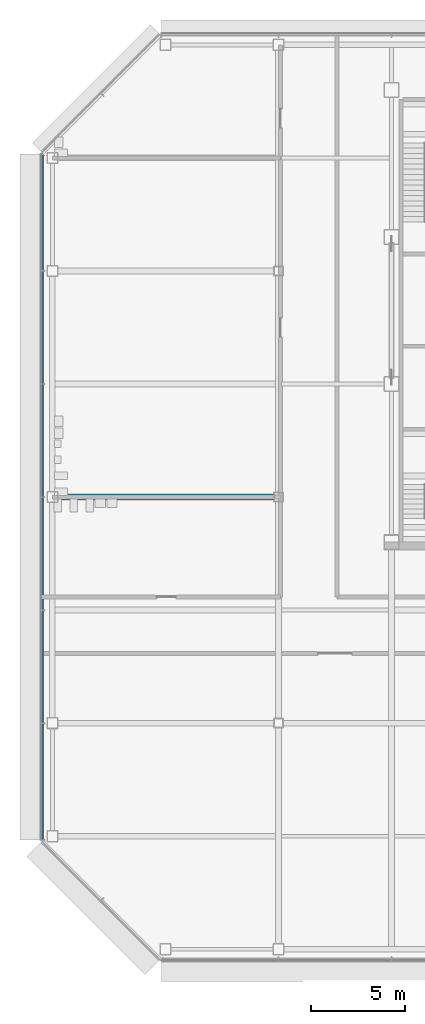
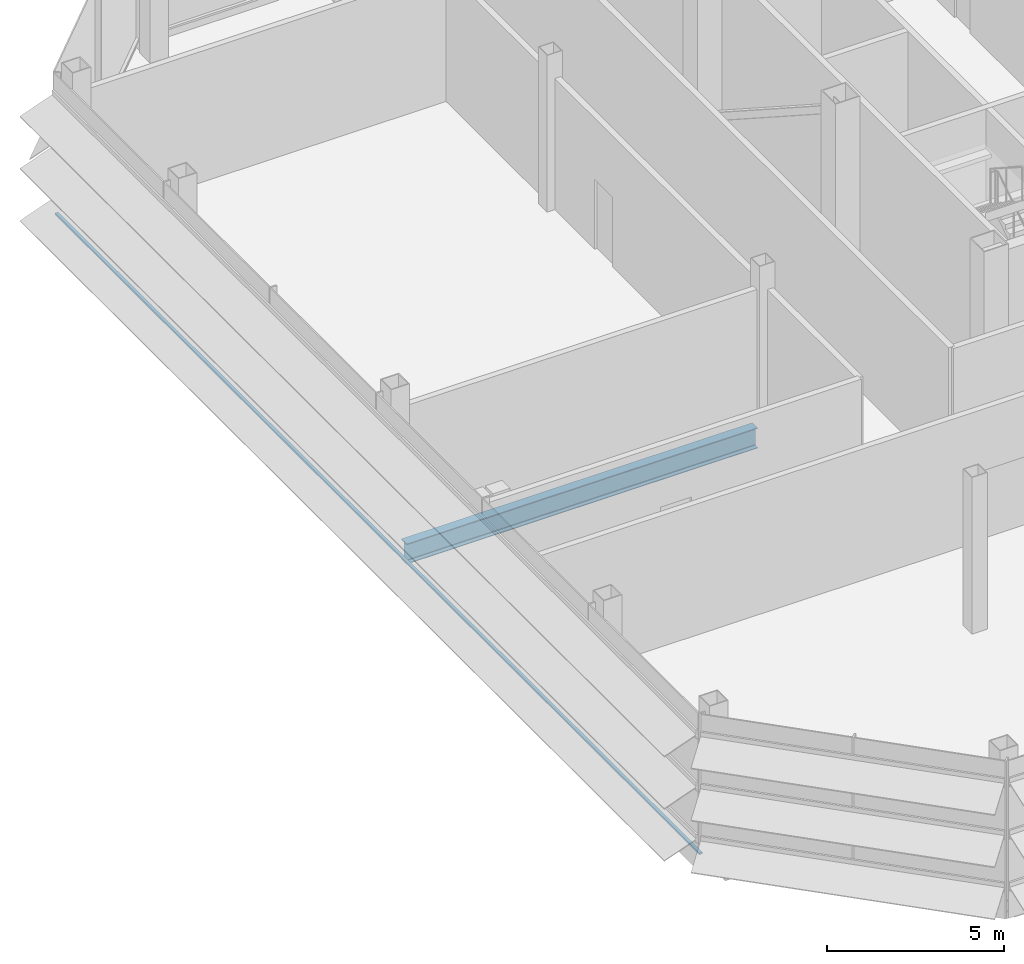
# One storey, part 6 of 26: 1 beam, 1 member, 1 element without a shape of its own.
"""IFC4 building model written with IfcOpenShell, lengths in metres."""

from ifc_helpers import new_model, si_unit, direction, frame, origin, origin_2d, place, context, subcontext, project, spatial, rectangle, i_section, extrude, material, material_profile, profile_set, type_object, element, aggregate, save


model = new_model("IFC4")

# Units and contexts
model_context = context("Model", 3, precision=1e-05, world=origin(), true_north=direction((0.0, 1.0)))
body_context = subcontext(model_context, "Body", "Model", "MODEL_VIEW")
ifc_project = project(units=[si_unit("LENGTHUNIT", "METRE"), si_unit("AREAUNIT", "SQUARE_METRE"), si_unit("VOLUMEUNIT", "CUBIC_METRE"), si_unit("PLANEANGLEUNIT", "RADIAN"), si_unit("MASSUNIT", "GRAM", prefix="KILO")], contexts=[model_context])

# Site, building, storey
site_placement = place(None, origin())
site = spatial("IfcSite", under=ifc_project, at=site_placement, CompositionType="ELEMENT")
building_placement = place(site_placement, origin())
building = spatial("IfcBuilding", under=site, at=building_placement, Name="Sorahane Residences", CompositionType="ELEMENT")
storey_placement = place(building_placement, frame((0.0, 0.0, 257.60009765625)))
storey = spatial("IfcBuildingStorey", under=building, at=storey_placement, Name="L61", CompositionType="ELEMENT", Elevation=257.60009765625)

# Curtain wall, member
ifc_material_1 = material(Name="Dark low-e glass and black anodised aluminium", Category="aluminium")
curtain_wall_type = type_object("IfcCurtainWallType", Name="Curtain wall CW-4 Sky floor frameless wall", PredefinedType="NOTDEFINED", material=ifc_material_1)
curtain_wall_placement = place(storey_placement, origin())
curtain_wall = element("IfcCurtainWall", 1, at=curtain_wall_placement, inside=storey, type_object=curtain_wall_type, Name="CW-4 curtain wall L61 W1", PredefinedType="NOTDEFINED")
ifc_material_2 = material(Name="Black anodised aluminium", Category="aluminium")
ifc_material_profile_1 = material_profile(ifc_material_2, rectangle(XDim=0.10009765625, YDim=0.06005859375, at=origin_2d()), Name="Curtain wall transom CW-4 black anodised aluminium 60x100")
ifc_profile_set_1 = profile_set([ifc_material_profile_1], Name="Black anodised aluminium")
member_type = type_object("IfcMemberType", Name="Curtain wall transom CW-4 black anodised aluminium 60x100", PredefinedType="USERDEFINED", material=ifc_profile_set_1)
member_placement = place(storey_placement, frame((-12.530029296875, 42.198486328125, 0.349853515625), z_axis=(0.0, -1.0, 0.0), x_axis=(1.0, 0.0, 0.0)))
member = element("IfcMember", 2, at=member_placement, type_object=member_type, Name="CW-4 transom L61 W1", ObjectType="TRANSOM", PredefinedType="USERDEFINED", context=body_context, shape_type="SweptSolid", body=[
    extrude(rectangle(XDim=0.10009765625, YDim=0.06005859375, at=origin_2d()), origin(), (0.0, 0.0, 1.0), 36.39697265625),
])
aggregate(curtain_wall, [member])

# Beam
ifc_material_3 = material(Name="Steel Q355B", Category="steel")
ifc_material_profile_2 = material_profile(ifc_material_3, i_section(OverallWidth=0.300048828125, OverallDepth=0.699951171875, WebThickness=0.012939453125, FlangeThickness=0.02392578125, FilletRadius=0.028076171875, at=origin_2d()), Name="HN 700x300x13x24")
ifc_profile_set_2 = profile_set([ifc_material_profile_2], Name="Steel Q355B")
beam_type = type_object("IfcBeamType", Name="Steel floor beam HN 700x300x13x24 Q355B", PredefinedType="BEAM", material=ifc_profile_set_2)
beam_placement = place(storey_placement, frame((-11.699951171875, 24.0, -0.570068359375), z_axis=(1.0, 0.0, 0.0), x_axis=(0.0, 1.0, 0.0)))
element("IfcBeam", 3, at=beam_placement, inside=storey, type_object=beam_type, Name="Beam L61 011", PredefinedType="BEAM", context=body_context, shape_type="SweptSolid", body=[
    extrude(i_section(OverallWidth=0.300048828125, OverallDepth=0.699951171875, WebThickness=0.012939453125, FlangeThickness=0.02392578125, FilletRadius=0.028076171875, at=origin_2d()), origin(), (0.0, 0.0, 1.0), 11.449951171875),
])

save(model, "model.ifc")
